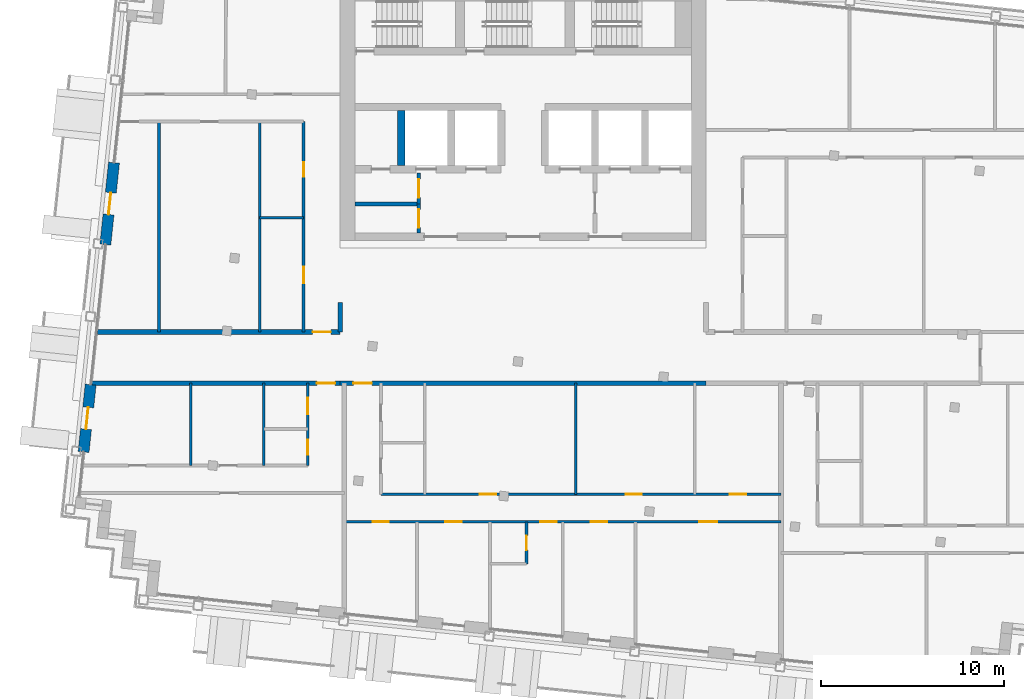
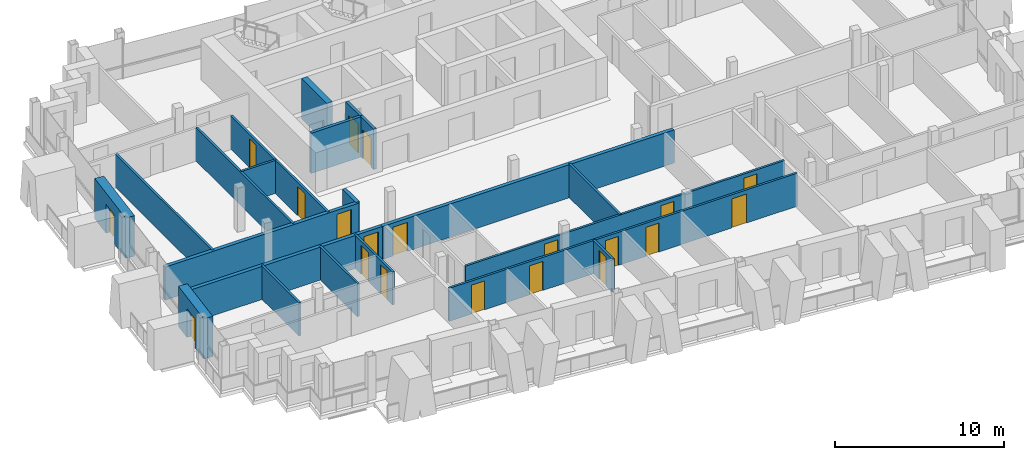
# One storey, part 9 of 16: 21 walls, 20 doors, 20 openings.
"""IFC4 building model written with IfcOpenShell, lengths in metres."""

from ifc_helpers import new_model, si_unit, direction, frame, frame_2d, origin, place, context, subcontext, project, spatial, rectangle, extrude, material, layer, layer_set, type_object, element, fill, save


model = new_model("IFC4")

# Units and contexts
model_context = context("Model", 3, precision=1e-05, world=origin(), true_north=direction((0.0, 1.0)))
body_context = subcontext(model_context, "Body", "Model", "MODEL_VIEW")
ifc_project = project(units=[si_unit("LENGTHUNIT", "METRE"), si_unit("AREAUNIT", "SQUARE_METRE"), si_unit("VOLUMEUNIT", "CUBIC_METRE"), si_unit("PLANEANGLEUNIT", "RADIAN"), si_unit("MASSUNIT", "GRAM", prefix="KILO")], contexts=[model_context])

# Site, building, storey
site_placement = place(None, origin())
site = spatial("IfcSite", under=ifc_project, at=site_placement, CompositionType="ELEMENT")
building_placement = place(site_placement, origin())
building = spatial("IfcBuilding", under=site, at=building_placement, Name="Vidyagriha Tower", CompositionType="ELEMENT")
storey_placement = place(building_placement, frame((0.0, 0.0, 259.5)))
storey = spatial("IfcBuildingStorey", under=building, at=storey_placement, Name="L67", CompositionType="ELEMENT", Elevation=259.5)

# Wall, opening, door
ifc_material_1 = material(Name="Precast concrete C40/50 with brick facing", Category="concrete")
ifc_layer_1 = layer(ifc_material_1, 0.60009765625)
ifc_layer_set_1 = layer_set([ifc_layer_1], Name="Precast concrete C40/50 with brick facing")
wall_type_1 = type_object("IfcWallType", Name="Brick-faced precast wall 600", PredefinedType="STANDARD", material=ifc_layer_set_1)
wall_1_placement = place(storey_placement, frame((-22.36279296875, 10.65673828125, 0.0), z_axis=(0.0, 0.0, 1.0), x_axis=(-0.104492739125, -0.994525649478, 0.0)))
wall_1 = element("IfcWall", 1, at=wall_1_placement, inside=storey, type_object=wall_type_1, Name="Brick door bay wall L67 R14.3", PredefinedType="STANDARD", context=body_context, shape_type="SweptSolid", body=[
    extrude(rectangle(XDim=4.5, YDim=0.60009765625, at=frame_2d((2.25, 0.0))), origin(), (0.0, 0.0, 1.0), 2.919921875),
])
opening_1_placement = place(wall_1_placement, frame((1.64990234375, 0.0, 0.0)))
opening_1 = element("IfcOpeningElement", 2, at=opening_1_placement, cuts=wall_1, Name="Opening D67-54", PredefinedType="OPENING", context=body_context, shape_type="SweptSolid", body=[
    extrude(rectangle(XDim=1.199951171875, YDim=2.10009765625, at=frame_2d((0.60009765625, 1.050048828125))), frame((0.0, 0.31005859375, 0.0), z_axis=(0.0, -1.0, 0.0), x_axis=(1.0, 0.0, 0.0)), (0.0, 0.0, 1.0), 0.6201171875),
])
ifc_material_2 = material(Name="Aluminium framed glazed sliding door", Category="aluminium")
door_type_1 = type_object("IfcDoorType", Name="Balcony sliding door 1200x2100", OperationType="NOTDEFINED", PredefinedType="DOOR", material=ifc_material_2)
door_1_placement = place(opening_1_placement, origin())
door_1 = element("IfcDoor", 3, at=door_1_placement, inside=storey, type_object=door_type_1, Name="Door D67-54", OperationType="SLIDING_TO_LEFT", OverallHeight=2.10009765625, OverallWidth=1.199951171875, PredefinedType="DOOR", context=body_context, shape_type="SweptSolid", body=[
    extrude(rectangle(XDim=1.199951171875, YDim=2.10009765625, at=frame_2d((0.60009765625, 1.050048828125))), frame((0.0, 0.02490234375, 0.0), z_axis=(0.0, -1.0, 0.0), x_axis=(1.0, 0.0, 0.0)), (0.0, 0.0, 1.0), 0.050048828125),
])
fill(opening_1, door_1)

wall_2_placement = place(storey_placement, frame((-23.637939453125, -1.476318359375, 0.0), z_axis=(0.0, 0.0, 1.0), x_axis=(-0.104513052986, -0.994523514933, 0.0)))
wall_2 = element("IfcWall", 4, at=wall_2_placement, inside=storey, type_object=wall_type_1, Name="Brick door bay wall L67 R14.6", PredefinedType="STANDARD", context=body_context, shape_type="SweptSolid", body=[
    extrude(rectangle(XDim=3.7001953125, YDim=0.60009765625, at=frame_2d((1.85009765625, 0.0))), origin(), (0.0, 0.0, 1.0), 2.919921875),
])
opening_2_placement = place(wall_2_placement, frame((1.25, 0.0, 0.0)))
opening_2 = element("IfcOpeningElement", 5, at=opening_2_placement, cuts=wall_2, Name="Opening D67-55", PredefinedType="OPENING", context=body_context, shape_type="SweptSolid", body=[
    extrude(rectangle(XDim=1.199951171875, YDim=2.10009765625, at=frame_2d((0.60009765625, 1.050048828125))), frame((0.0, 0.31005859375, 0.0), z_axis=(0.0, -1.0, 0.0), x_axis=(1.0, 0.0, 0.0)), (0.0, 0.0, 1.0), 0.6201171875),
])
door_2_placement = place(opening_2_placement, origin())
door_2 = element("IfcDoor", 6, at=door_2_placement, inside=storey, type_object=door_type_1, Name="Door D67-55", OperationType="SLIDING_TO_LEFT", OverallHeight=2.10009765625, OverallWidth=1.199951171875, PredefinedType="DOOR", context=body_context, shape_type="SweptSolid", body=[
    extrude(rectangle(XDim=1.199951171875, YDim=2.10009765625, at=frame_2d((0.60009765625, 1.050048828125))), frame((0.0, 0.02490234375, 0.0), z_axis=(0.0, -1.0, 0.0), x_axis=(1.0, 0.0, 0.0)), (0.0, 0.0, 1.0), 0.050048828125),
])
fill(opening_2, door_2)

# Wall
ifc_material_3 = material(Name="Concrete C60/75", Category="concrete")
ifc_layer_2 = layer(ifc_material_3, 0.39990234375)
ifc_layer_set_2 = layer_set([ifc_layer_2], Name="Concrete C60/75")
wall_type_2 = type_object("IfcWallType", Name="Core shear wall 400 mm", PredefinedType="SHEAR", material=ifc_layer_set_2)
wall_3_placement = place(storey_placement, frame((-6.666748046875, 10.5, 0.0), z_axis=(0.0, 0.0, 1.0), x_axis=(0.0, 1.0, 0.0)))
element("IfcWall", 7, at=wall_3_placement, inside=storey, type_object=wall_type_2, Name="Core bay wall N1", PredefinedType="SHEAR", context=body_context, shape_type="SweptSolid", body=[
    extrude(rectangle(XDim=3.0, YDim=0.39990234375, at=frame_2d((1.5, 0.0))), origin(), (0.0, 0.0, 1.0), 2.919921875),
])

# Wall, opening, door
ifc_material_4 = material(Name="Fired clay brick masonry", Category="masonry")
ifc_layer_3 = layer(ifc_material_4, 0.25)
ifc_layer_set_3 = layer_set([ifc_layer_3], Name="Fired clay brick masonry")
wall_type_3 = type_object("IfcWallType", Name="Fired clay brick corridor wall 250", PredefinedType="PARTITIONING", material=ifc_layer_set_3)
wall_4_placement = place(storey_placement, frame((-10.0, -1.39990234375, 0.0), z_axis=(0.0, 0.0, 1.0), x_axis=(-1.0, 0.0, 0.0)))
wall_4 = element("IfcWall", 8, at=wall_4_placement, inside=storey, type_object=wall_type_3, Name="Wall all-L67-w056", PredefinedType="PARTITIONING", context=body_context, shape_type="SweptSolid", body=[
    extrude(rectangle(XDim=13.5595703125, YDim=0.25, at=frame_2d((6.77978515625, 0.0))), origin(), (0.0, 0.0, 1.0), 2.39990234375),
])
opening_3_placement = place(wall_4_placement, frame((0.27001953125, 0.0, 0.0)))
opening_3 = element("IfcOpeningElement", 9, at=opening_3_placement, cuts=wall_4, Name="Opening D67-16", PredefinedType="OPENING", context=body_context, shape_type="SweptSolid", body=[
    extrude(rectangle(XDim=1.0, YDim=2.10009765625, at=frame_2d((0.5, 1.050048828125))), frame((0.0, 0.135009765625, 0.0), z_axis=(0.0, -1.0, 0.0), x_axis=(1.0, 0.0, 0.0)), (0.0, 0.0, 1.0), 0.27001953125),
])
ifc_material_5 = material(Name="Fire-rated timber door leaf EI 60", Category="wood")
door_type_2 = type_object("IfcDoorType", Name="Flat entrance fire door 1000x2100", OperationType="NOTDEFINED", PredefinedType="DOOR", material=ifc_material_5)
door_3_placement = place(opening_3_placement, origin())
door_3 = element("IfcDoor", 10, at=door_3_placement, inside=storey, type_object=door_type_2, Name="Door D67-16", OperationType="SINGLE_SWING_LEFT", OverallHeight=2.10009765625, OverallWidth=1.0, PredefinedType="DOOR", context=body_context, shape_type="SweptSolid", body=[
    extrude(rectangle(XDim=1.0, YDim=2.10009765625, at=frame_2d((0.5, 1.050048828125))), frame((0.0, 0.02490234375, 0.0), z_axis=(0.0, -1.0, 0.0), x_axis=(1.0, 0.0, 0.0)), (0.0, 0.0, 1.0), 0.050048828125),
])
fill(opening_3, door_3)

wall_5_placement = place(storey_placement, frame((-23.26513671875, 1.39990234375, 0.0)))
wall_5 = element("IfcWall", 11, at=wall_5_placement, inside=storey, type_object=wall_type_3, Name="Wall all-L67-w073", PredefinedType="PARTITIONING", context=body_context, shape_type="SweptSolid", body=[
    extrude(rectangle(XDim=13.26513671875, YDim=0.25, at=frame_2d((6.632568359375, 0.0))), origin(), (0.0, 0.0, 1.0), 2.39990234375),
])
opening_4_placement = place(wall_5_placement, frame((11.76513671875, 0.0, 0.0)))
opening_4 = element("IfcOpeningElement", 12, at=opening_4_placement, cuts=wall_5, Name="Opening D67-43", PredefinedType="OPENING", context=body_context, shape_type="SweptSolid", body=[
    extrude(rectangle(XDim=1.0, YDim=2.10009765625, at=frame_2d((0.5, 1.050048828125))), frame((0.0, 0.135009765625, 0.0), z_axis=(0.0, -1.0, 0.0), x_axis=(1.0, 0.0, 0.0)), (0.0, 0.0, 1.0), 0.27001953125),
])
door_4_placement = place(opening_4_placement, origin())
door_4 = element("IfcDoor", 13, at=door_4_placement, inside=storey, type_object=door_type_2, Name="Door D67-43", OperationType="SINGLE_SWING_RIGHT", OverallHeight=2.10009765625, OverallWidth=1.0, PredefinedType="DOOR", context=body_context, shape_type="SweptSolid", body=[
    extrude(rectangle(XDim=1.0, YDim=2.10009765625, at=frame_2d((0.5, 1.050048828125))), frame((0.0, 0.02490234375, 0.0), z_axis=(0.0, -1.0, 0.0), x_axis=(1.0, 0.0, 0.0)), (0.0, 0.0, 1.0), 0.050048828125),
])
fill(opening_4, door_4)

wall_6_placement = place(storey_placement, frame((10.0, -1.39990234375, 0.0), z_axis=(0.0, 0.0, 1.0), x_axis=(-1.0, 0.0, 0.0)))
wall_6 = element("IfcWall", 14, at=wall_6_placement, inside=storey, type_object=wall_type_3, Name="Wall all-L67-w096", PredefinedType="PARTITIONING", context=body_context, shape_type="SweptSolid", body=[
    extrude(rectangle(XDim=20.0, YDim=0.25, at=frame_2d((10.0, 0.0))), origin(), (0.0, 0.0, 1.0), 2.39990234375),
])
opening_5_placement = place(wall_6_placement, frame((18.27001953125, 0.0, 0.0)))
opening_5 = element("IfcOpeningElement", 15, at=opening_5_placement, cuts=wall_6, Name="Opening D67-28", PredefinedType="OPENING", context=body_context, shape_type="SweptSolid", body=[
    extrude(rectangle(XDim=1.0, YDim=2.10009765625, at=frame_2d((0.5, 1.050048828125))), frame((0.0, 0.135009765625, 0.0), z_axis=(0.0, -1.0, 0.0), x_axis=(1.0, 0.0, 0.0)), (0.0, 0.0, 1.0), 0.27001953125),
])
door_5_placement = place(opening_5_placement, origin())
door_5 = element("IfcDoor", 16, at=door_5_placement, inside=storey, type_object=door_type_2, Name="Door D67-28", OperationType="SINGLE_SWING_RIGHT", OverallHeight=2.10009765625, OverallWidth=1.0, PredefinedType="DOOR", context=body_context, shape_type="SweptSolid", body=[
    extrude(rectangle(XDim=1.0, YDim=2.10009765625, at=frame_2d((0.5, 1.050048828125))), frame((0.0, 0.02490234375, 0.0), z_axis=(0.0, -1.0, 0.0), x_axis=(1.0, 0.0, 0.0)), (0.0, 0.0, 1.0), 0.050048828125),
])
fill(opening_5, door_5)

# Walls
wall_7_placement = place(storey_placement, frame((-10.0, 3.0, 0.0), z_axis=(0.0, 0.0, 1.0), x_axis=(0.0, -1.0, 0.0)))
element("IfcWall", 17, at=wall_7_placement, inside=storey, type_object=wall_type_3, Name="Wall all-L67-w097", PredefinedType="PARTITIONING", context=body_context, shape_type="SweptSolid", body=[
    extrude(rectangle(XDim=1.60009765625, YDim=0.25, at=frame_2d((0.800048828125, 0.0))), origin(), (0.0, 0.0, 1.0), 2.39990234375),
])
ifc_material_6 = material(Name="Gypsum board partition")
ifc_layer_4 = layer(ifc_material_6, 0.14990234375)
ifc_layer_set_4 = layer_set([ifc_layer_4], Name="Gypsum board partition")
wall_type_4 = type_object("IfcWallType", Name="Gypsum board partition 150", PredefinedType="PARTITIONING", material=ifc_layer_set_4)
for number, where, z_axis, x_axis, name in (
    (18, (-14.169921875, -5.89990234375, 0.0), (0.0, 0.0, 1.0), (0.0, 1.0, 0.0), "Wall all-L67-w005"),
    (19, (-18.169921875, -5.89990234375, 0.0), (0.0, 0.0, 1.0), (0.0, 1.0, 0.0), "Wall all-L67-w006"),
):
    element("IfcWall", number, at=place(storey_placement, frame(where, z_axis=z_axis, x_axis=x_axis)), inside=storey, type_object=wall_type_4, Name=name, PredefinedType="PARTITIONING", context=body_context, shape_type="SweptSolid", body=[
        extrude(rectangle(XDim=4.5, YDim=0.14990234375, at=frame_2d((2.25, 0.0))), origin(), (0.0, 0.0, 1.0), 2.39990234375),
    ])
wall_8_placement = place(storey_placement, frame((2.8798828125, -1.39990234375, 0.0), z_axis=(0.0, 0.0, 1.0), x_axis=(0.0, -1.0, 0.0)))
element("IfcWall", 20, at=wall_8_placement, inside=storey, type_object=wall_type_4, Name="Wall all-L67-w018", PredefinedType="PARTITIONING", context=body_context, shape_type="SweptSolid", body=[
    extrude(rectangle(XDim=6.07470703125, YDim=0.14990234375, at=frame_2d((3.037353515625, 0.0))), origin(), (0.0, 0.0, 1.0), 2.39990234375),
])

# Wall, openings, doors
wall_9_placement = place(storey_placement, frame((-7.77001953125, -7.474609375, 0.0)))
wall_9 = element("IfcWall", 21, at=wall_9_placement, inside=storey, type_object=wall_type_4, Name="Wall all-L67-w020", PredefinedType="PARTITIONING", context=body_context, shape_type="SweptSolid", body=[
    extrude(rectangle(XDim=21.867919921875, YDim=0.14990234375, at=frame_2d((10.93408203125, 0.0))), origin(), (0.0, 0.0, 1.0), 2.39990234375),
])
opening_6_placement = place(wall_9_placement, frame((5.413818359375, 0.0, 0.0)))
opening_6 = element("IfcOpeningElement", 22, at=opening_6_placement, cuts=wall_9, Name="Opening D67-19", PredefinedType="OPENING", context=body_context, shape_type="SweptSolid", body=[
    extrude(rectangle(XDim=0.89990234375, YDim=2.10009765625, at=frame_2d((0.449951171875, 1.050048828125))), frame((0.0, 0.0849609375, 0.0), z_axis=(0.0, -1.0, 0.0), x_axis=(1.0, 0.0, 0.0)), (0.0, 0.0, 1.0), 0.169921875),
])
opening_7_placement = place(wall_9_placement, frame((13.3701171875, 0.0, 0.0)))
opening_7 = element("IfcOpeningElement", 23, at=opening_7_placement, cuts=wall_9, Name="Opening D67-20", PredefinedType="OPENING", context=body_context, shape_type="SweptSolid", body=[
    extrude(rectangle(XDim=0.89990234375, YDim=2.10009765625, at=frame_2d((0.449951171875, 1.050048828125))), frame((0.0, 0.0849609375, 0.0), z_axis=(0.0, -1.0, 0.0), x_axis=(1.0, 0.0, 0.0)), (0.0, 0.0, 1.0), 0.169921875),
])
opening_8_placement = place(wall_9_placement, frame((19.05908203125, 0.0, 0.0)))
opening_8 = element("IfcOpeningElement", 24, at=opening_8_placement, cuts=wall_9, Name="Opening D67-21", PredefinedType="OPENING", context=body_context, shape_type="SweptSolid", body=[
    extrude(rectangle(XDim=0.89990234375, YDim=2.10009765625, at=frame_2d((0.449951171875, 1.050048828125))), frame((0.0, 0.0849609375, 0.0), z_axis=(0.0, -1.0, 0.0), x_axis=(1.0, 0.0, 0.0)), (0.0, 0.0, 1.0), 0.169921875),
])
ifc_material_7 = material(Name="Timber door leaf", Category="wood")
door_type_3 = type_object("IfcDoorType", Name="Room door 900x2100", OperationType="NOTDEFINED", PredefinedType="DOOR", material=ifc_material_7)
door_6_placement = place(opening_6_placement, origin())
door_6 = element("IfcDoor", 25, at=door_6_placement, inside=storey, type_object=door_type_3, Name="Door D67-19", OperationType="SINGLE_SWING_LEFT", OverallHeight=2.10009765625, OverallWidth=0.89990234375, PredefinedType="DOOR", context=body_context, shape_type="SweptSolid", body=[
    extrude(rectangle(XDim=0.89990234375, YDim=2.10009765625, at=frame_2d((0.449951171875, 1.050048828125))), frame((0.0, 0.02490234375, 0.0), z_axis=(0.0, -1.0, 0.0), x_axis=(1.0, 0.0, 0.0)), (0.0, 0.0, 1.0), 0.050048828125),
])
fill(opening_6, door_6)
door_7_placement = place(opening_7_placement, origin())
door_7 = element("IfcDoor", 26, at=door_7_placement, inside=storey, type_object=door_type_3, Name="Door D67-20", OperationType="SINGLE_SWING_LEFT", OverallHeight=2.10009765625, OverallWidth=0.89990234375, PredefinedType="DOOR", context=body_context, shape_type="SweptSolid", body=[
    extrude(rectangle(XDim=0.89990234375, YDim=2.10009765625, at=frame_2d((0.449951171875, 1.050048828125))), frame((0.0, 0.02490234375, 0.0), z_axis=(0.0, -1.0, 0.0), x_axis=(1.0, 0.0, 0.0)), (0.0, 0.0, 1.0), 0.050048828125),
])
fill(opening_7, door_7)
door_8_placement = place(opening_8_placement, origin())
door_8 = element("IfcDoor", 27, at=door_8_placement, inside=storey, type_object=door_type_3, Name="Door D67-21", OperationType="SINGLE_SWING_RIGHT", OverallHeight=2.10009765625, OverallWidth=0.89990234375, PredefinedType="DOOR", context=body_context, shape_type="SweptSolid", body=[
    extrude(rectangle(XDim=0.89990234375, YDim=2.10009765625, at=frame_2d((0.449951171875, 1.050048828125))), frame((0.0, 0.02490234375, 0.0), z_axis=(0.0, -1.0, 0.0), x_axis=(1.0, 0.0, 0.0)), (0.0, 0.0, 1.0), 0.050048828125),
])
fill(opening_8, door_8)

wall_10_placement = place(storey_placement, frame((14.097900390625, -8.974609375, 0.0), z_axis=(0.0, 0.0, 1.0), x_axis=(-1.0, 0.0, 0.0)))
wall_10 = element("IfcWall", 28, at=wall_10_placement, inside=storey, type_object=wall_type_4, Name="Wall all-L67-w024", PredefinedType="PARTITIONING", context=body_context, shape_type="SweptSolid", body=[
    extrude(rectangle(XDim=23.867919921875, YDim=0.14990234375, at=frame_2d((11.93408203125, 0.0))), origin(), (0.0, 0.0, 1.0), 2.39990234375),
])
opening_9_placement = place(wall_10_placement, frame((21.42919921875, 0.0, 0.0)))
opening_9 = element("IfcOpeningElement", 29, at=opening_9_placement, cuts=wall_10, Name="Opening D67-22", PredefinedType="OPENING", context=body_context, shape_type="SweptSolid", body=[
    extrude(rectangle(XDim=0.89990234375, YDim=2.10009765625, at=frame_2d((0.449951171875, 1.050048828125))), frame((0.0, 0.0849609375, 0.0), z_axis=(0.0, -1.0, 0.0), x_axis=(1.0, 0.0, 0.0)), (0.0, 0.0, 1.0), 0.169921875),
])
opening_10_placement = place(wall_10_placement, frame((17.451416015625, 0.0, 0.0)))
opening_10 = element("IfcOpeningElement", 30, at=opening_10_placement, cuts=wall_10, Name="Opening D67-23", PredefinedType="OPENING", context=body_context, shape_type="SweptSolid", body=[
    extrude(rectangle(XDim=0.89990234375, YDim=2.10009765625, at=frame_2d((0.449951171875, 1.050048828125))), frame((0.0, 0.0849609375, 0.0), z_axis=(0.0, -1.0, 0.0), x_axis=(1.0, 0.0, 0.0)), (0.0, 0.0, 1.0), 0.169921875),
])
opening_11_placement = place(wall_10_placement, frame((12.252197265625, 0.0, 0.0)))
opening_11 = element("IfcOpeningElement", 31, at=opening_11_placement, cuts=wall_10, Name="Opening D67-24", PredefinedType="OPENING", context=body_context, shape_type="SweptSolid", body=[
    extrude(rectangle(XDim=0.89990234375, YDim=2.10009765625, at=frame_2d((0.449951171875, 1.050048828125))), frame((0.0, 0.0849609375, 0.0), z_axis=(0.0, -1.0, 0.0), x_axis=(1.0, 0.0, 0.0)), (0.0, 0.0, 1.0), 0.169921875),
])
opening_12_placement = place(wall_10_placement, frame((9.4951171875, 0.0, 0.0)))
opening_12 = element("IfcOpeningElement", 32, at=opening_12_placement, cuts=wall_10, Name="Opening D67-25", PredefinedType="OPENING", context=body_context, shape_type="SweptSolid", body=[
    extrude(rectangle(XDim=0.89990234375, YDim=2.10009765625, at=frame_2d((0.449951171875, 1.050048828125))), frame((0.0, 0.0849609375, 0.0), z_axis=(0.0, -1.0, 0.0), x_axis=(1.0, 0.0, 0.0)), (0.0, 0.0, 1.0), 0.169921875),
])
opening_13_placement = place(wall_10_placement, frame((3.47802734375, 0.0, 0.0)))
opening_13 = element("IfcOpeningElement", 33, at=opening_13_placement, cuts=wall_10, Name="Opening D67-26", PredefinedType="OPENING", context=body_context, shape_type="SweptSolid", body=[
    extrude(rectangle(XDim=1.0, YDim=2.10009765625, at=frame_2d((0.5, 1.050048828125))), frame((0.0, 0.0849609375, 0.0), z_axis=(0.0, -1.0, 0.0), x_axis=(1.0, 0.0, 0.0)), (0.0, 0.0, 1.0), 0.169921875),
])
ifc_material_8 = material(Name="Timber door leaf", Category="wood")
door_type_4 = type_object("IfcDoorType", Name="Room door 1000x2100", OperationType="NOTDEFINED", PredefinedType="DOOR", material=ifc_material_8)
door_9_placement = place(opening_13_placement, origin())
door_9 = element("IfcDoor", 34, at=door_9_placement, inside=storey, type_object=door_type_4, Name="Door D67-26", OperationType="SINGLE_SWING_LEFT", OverallHeight=2.10009765625, OverallWidth=1.0, PredefinedType="DOOR", context=body_context, shape_type="SweptSolid", body=[
    extrude(rectangle(XDim=1.0, YDim=2.10009765625, at=frame_2d((0.5, 1.050048828125))), frame((0.0, 0.02490234375, 0.0), z_axis=(0.0, -1.0, 0.0), x_axis=(1.0, 0.0, 0.0)), (0.0, 0.0, 1.0), 0.050048828125),
])
fill(opening_13, door_9)
door_10_placement = place(opening_9_placement, origin())
door_10 = element("IfcDoor", 35, at=door_10_placement, inside=storey, type_object=door_type_3, Name="Door D67-22", OperationType="SINGLE_SWING_RIGHT", OverallHeight=2.10009765625, OverallWidth=0.89990234375, PredefinedType="DOOR", context=body_context, shape_type="SweptSolid", body=[
    extrude(rectangle(XDim=0.89990234375, YDim=2.10009765625, at=frame_2d((0.449951171875, 1.050048828125))), frame((0.0, 0.02490234375, 0.0), z_axis=(0.0, -1.0, 0.0), x_axis=(1.0, 0.0, 0.0)), (0.0, 0.0, 1.0), 0.050048828125),
])
fill(opening_9, door_10)
door_11_placement = place(opening_10_placement, origin())
door_11 = element("IfcDoor", 36, at=door_11_placement, inside=storey, type_object=door_type_3, Name="Door D67-23", OperationType="SINGLE_SWING_RIGHT", OverallHeight=2.10009765625, OverallWidth=0.89990234375, PredefinedType="DOOR", context=body_context, shape_type="SweptSolid", body=[
    extrude(rectangle(XDim=0.89990234375, YDim=2.10009765625, at=frame_2d((0.449951171875, 1.050048828125))), frame((0.0, 0.02490234375, 0.0), z_axis=(0.0, -1.0, 0.0), x_axis=(1.0, 0.0, 0.0)), (0.0, 0.0, 1.0), 0.050048828125),
])
fill(opening_10, door_11)
door_12_placement = place(opening_11_placement, origin())
door_12 = element("IfcDoor", 37, at=door_12_placement, inside=storey, type_object=door_type_3, Name="Door D67-24", OperationType="SINGLE_SWING_LEFT", OverallHeight=2.10009765625, OverallWidth=0.89990234375, PredefinedType="DOOR", context=body_context, shape_type="SweptSolid", body=[
    extrude(rectangle(XDim=0.89990234375, YDim=2.10009765625, at=frame_2d((0.449951171875, 1.050048828125))), frame((0.0, 0.02490234375, 0.0), z_axis=(0.0, -1.0, 0.0), x_axis=(1.0, 0.0, 0.0)), (0.0, 0.0, 1.0), 0.050048828125),
])
fill(opening_11, door_12)
door_13_placement = place(opening_12_placement, origin())
door_13 = element("IfcDoor", 38, at=door_13_placement, inside=storey, type_object=door_type_3, Name="Door D67-25", OperationType="SINGLE_SWING_LEFT", OverallHeight=2.10009765625, OverallWidth=0.89990234375, PredefinedType="DOOR", context=body_context, shape_type="SweptSolid", body=[
    extrude(rectangle(XDim=0.89990234375, YDim=2.10009765625, at=frame_2d((0.449951171875, 1.050048828125))), frame((0.0, 0.02490234375, 0.0), z_axis=(0.0, -1.0, 0.0), x_axis=(1.0, 0.0, 0.0)), (0.0, 0.0, 1.0), 0.050048828125),
])
fill(opening_12, door_13)

# Wall, opening, door
wall_11_placement = place(storey_placement, frame((0.185791015625, -8.974609375, 0.0), z_axis=(0.0, 0.0, 1.0), x_axis=(0.0, -1.0, 0.0)))
wall_11 = element("IfcWall", 39, at=wall_11_placement, inside=storey, type_object=wall_type_4, Name="Wall all-L67-w034", PredefinedType="PARTITIONING", context=body_context, shape_type="SweptSolid", body=[
    extrude(rectangle(XDim=2.2998046875, YDim=0.14990234375, at=frame_2d((1.14990234375, 0.0))), origin(), (0.0, 0.0, 1.0), 2.39990234375),
])
opening_14_placement = place(wall_11_placement, frame((0.75, 0.0, 0.0)))
opening_14 = element("IfcOpeningElement", 40, at=opening_14_placement, cuts=wall_11, Name="Opening D67-27", PredefinedType="OPENING", context=body_context, shape_type="SweptSolid", body=[
    extrude(rectangle(XDim=0.800048828125, YDim=2.10009765625, at=frame_2d((0.39990234375, 1.050048828125))), frame((0.0, 0.0849609375, 0.0), z_axis=(0.0, -1.0, 0.0), x_axis=(1.0, 0.0, 0.0)), (0.0, 0.0, 1.0), 0.169921875),
])
ifc_material_9 = material(Name="Timber door leaf", Category="wood")
door_type_5 = type_object("IfcDoorType", Name="Bathroom door 800x2100", OperationType="NOTDEFINED", PredefinedType="DOOR", material=ifc_material_9)
door_14_placement = place(opening_14_placement, origin())
door_14 = element("IfcDoor", 41, at=door_14_placement, inside=storey, type_object=door_type_5, Name="Door D67-27", OperationType="SINGLE_SWING_LEFT", OverallHeight=2.10009765625, OverallWidth=0.800048828125, PredefinedType="DOOR", context=body_context, shape_type="SweptSolid", body=[
    extrude(rectangle(XDim=0.800048828125, YDim=2.10009765625, at=frame_2d((0.39990234375, 1.050048828125))), frame((0.0, 0.02490234375, 0.0), z_axis=(0.0, -1.0, 0.0), x_axis=(1.0, 0.0, 0.0)), (0.0, 0.0, 1.0), 0.050048828125),
])
fill(opening_14, door_14)

# Walls
wall_12_placement = place(storey_placement, frame((-14.39990234375, 7.64990234375, 0.0)))
element("IfcWall", 42, at=wall_12_placement, inside=storey, type_object=wall_type_4, Name="Wall all-L67-w062", PredefinedType="PARTITIONING", context=body_context, shape_type="SweptSolid", body=[
    extrude(rectangle(XDim=2.39990234375, YDim=0.14990234375, at=frame_2d((1.199951171875, 0.0))), origin(), (0.0, 0.0, 1.0), 2.39990234375),
])
for number, where, z_axis, x_axis, name in (
    (43, (-14.39990234375, 1.39990234375, 0.0), (0.0, 0.0, 1.0), (0.0, 1.0, 0.0), "Wall all-L67-w063"),
    (44, (-19.89990234375, 1.39990234375, 0.0), (0.0, 0.0, 1.0), (0.0, 1.0, 0.0), "Wall all-L67-w064"),
):
    element("IfcWall", number, at=place(storey_placement, frame(where, z_axis=z_axis, x_axis=x_axis)), inside=storey, type_object=wall_type_4, Name=name, PredefinedType="PARTITIONING", context=body_context, shape_type="SweptSolid", body=[
        extrude(rectangle(XDim=11.5, YDim=0.14990234375, at=frame_2d((5.75, 0.0))), origin(), (0.0, 0.0, 1.0), 2.39990234375),
    ])

# Wall, openings, doors
ifc_material_10 = material(Name="Moisture resistant gypsum board partition")
ifc_layer_5 = layer(ifc_material_10, 0.14990234375)
ifc_layer_set_5 = layer_set([ifc_layer_5], Name="Moisture resistant gypsum board partition")
wall_type_5 = type_object("IfcWallType", Name="Gypsum board wet-area partition 150", PredefinedType="PARTITIONING", material=ifc_layer_set_5)
wall_13_placement = place(storey_placement, frame((-11.77001953125, -5.89990234375, 0.0), z_axis=(0.0, 0.0, 1.0), x_axis=(0.0, 1.0, 0.0)))
wall_13 = element("IfcWall", 45, at=wall_13_placement, inside=storey, type_object=wall_type_5, Name="Wall all-L67-w001", PredefinedType="PARTITIONING", context=body_context, shape_type="SweptSolid", body=[
    extrude(rectangle(XDim=4.5, YDim=0.14990234375, at=frame_2d((2.25, 0.0))), origin(), (0.0, 0.0, 1.0), 2.39990234375),
])
opening_15_placement = place(wall_13_placement, frame((2.800048828125, 0.0, 0.0)))
opening_15 = element("IfcOpeningElement", 46, at=opening_15_placement, cuts=wall_13, Name="Opening D67-11", PredefinedType="OPENING", context=body_context, shape_type="SweptSolid", body=[
    extrude(rectangle(XDim=0.89990234375, YDim=2.10009765625, at=frame_2d((0.449951171875, 1.050048828125))), frame((0.0, 0.0849609375, 0.0), z_axis=(0.0, -1.0, 0.0), x_axis=(1.0, 0.0, 0.0)), (0.0, 0.0, 1.0), 0.169921875),
])
opening_16_placement = place(wall_13_placement, frame((0.60009765625, 0.0, 0.0)))
opening_16 = element("IfcOpeningElement", 47, at=opening_16_placement, cuts=wall_13, Name="Opening D67-12", PredefinedType="OPENING", context=body_context, shape_type="SweptSolid", body=[
    extrude(rectangle(XDim=0.800048828125, YDim=2.10009765625, at=frame_2d((0.39990234375, 1.050048828125))), frame((0.0, 0.0849609375, 0.0), z_axis=(0.0, -1.0, 0.0), x_axis=(1.0, 0.0, 0.0)), (0.0, 0.0, 1.0), 0.169921875),
])
door_15_placement = place(opening_16_placement, origin())
door_15 = element("IfcDoor", 48, at=door_15_placement, inside=storey, type_object=door_type_5, Name="Door D67-12", OperationType="SINGLE_SWING_LEFT", OverallHeight=2.10009765625, OverallWidth=0.800048828125, PredefinedType="DOOR", context=body_context, shape_type="SweptSolid", body=[
    extrude(rectangle(XDim=0.800048828125, YDim=2.10009765625, at=frame_2d((0.39990234375, 1.050048828125))), frame((0.0, 0.02490234375, 0.0), z_axis=(0.0, -1.0, 0.0), x_axis=(1.0, 0.0, 0.0)), (0.0, 0.0, 1.0), 0.050048828125),
])
fill(opening_16, door_15)
ifc_material_11 = material(Name="Timber door leaf", Category="wood")
door_type_6 = type_object("IfcDoorType", Name="Kitchen door 900x2100", OperationType="NOTDEFINED", PredefinedType="DOOR", material=ifc_material_11)
door_16_placement = place(opening_15_placement, origin())
door_16 = element("IfcDoor", 49, at=door_16_placement, inside=storey, type_object=door_type_6, Name="Door D67-11", OperationType="SINGLE_SWING_RIGHT", OverallHeight=2.10009765625, OverallWidth=0.89990234375, PredefinedType="DOOR", context=body_context, shape_type="SweptSolid", body=[
    extrude(rectangle(XDim=0.89990234375, YDim=2.10009765625, at=frame_2d((0.449951171875, 1.050048828125))), frame((0.0, 0.02490234375, 0.0), z_axis=(0.0, -1.0, 0.0), x_axis=(1.0, 0.0, 0.0)), (0.0, 0.0, 1.0), 0.050048828125),
])
fill(opening_15, door_16)

wall_14_placement = place(storey_placement, frame((-12.0, 1.39990234375, 0.0), z_axis=(0.0, 0.0, 1.0), x_axis=(0.0, 1.0, 0.0)))
wall_14 = element("IfcWall", 50, at=wall_14_placement, inside=storey, type_object=wall_type_5, Name="Wall all-L67-w059", PredefinedType="PARTITIONING", context=body_context, shape_type="SweptSolid", body=[
    extrude(rectangle(XDim=11.5, YDim=0.14990234375, at=frame_2d((5.75, 0.0))), origin(), (0.0, 0.0, 1.0), 2.39990234375),
])
opening_17_placement = place(wall_14_placement, frame((2.675048828125, 0.0, 0.0)))
opening_17 = element("IfcOpeningElement", 51, at=opening_17_placement, cuts=wall_14, Name="Opening D67-37", PredefinedType="OPENING", context=body_context, shape_type="SweptSolid", body=[
    extrude(rectangle(XDim=0.89990234375, YDim=2.10009765625, at=frame_2d((0.449951171875, 1.050048828125))), frame((0.0, 0.0849609375, 0.0), z_axis=(0.0, -1.0, 0.0), x_axis=(1.0, 0.0, 0.0)), (0.0, 0.0, 1.0), 0.169921875),
])
opening_18_placement = place(wall_14_placement, frame((8.47509765625, 0.0, 0.0)))
opening_18 = element("IfcOpeningElement", 52, at=opening_18_placement, cuts=wall_14, Name="Opening D67-38", PredefinedType="OPENING", context=body_context, shape_type="SweptSolid", body=[
    extrude(rectangle(XDim=0.800048828125, YDim=2.10009765625, at=frame_2d((0.39990234375, 1.050048828125))), frame((0.0, 0.0849609375, 0.0), z_axis=(0.0, -1.0, 0.0), x_axis=(1.0, 0.0, 0.0)), (0.0, 0.0, 1.0), 0.169921875),
])
door_17_placement = place(opening_18_placement, origin())
door_17 = element("IfcDoor", 53, at=door_17_placement, inside=storey, type_object=door_type_5, Name="Door D67-38", OperationType="SINGLE_SWING_RIGHT", OverallHeight=2.10009765625, OverallWidth=0.800048828125, PredefinedType="DOOR", context=body_context, shape_type="SweptSolid", body=[
    extrude(rectangle(XDim=0.800048828125, YDim=2.10009765625, at=frame_2d((0.39990234375, 1.050048828125))), frame((0.0, 0.02490234375, 0.0), z_axis=(0.0, -1.0, 0.0), x_axis=(1.0, 0.0, 0.0)), (0.0, 0.0, 1.0), 0.050048828125),
])
fill(opening_18, door_17)
door_18_placement = place(opening_17_placement, origin())
door_18 = element("IfcDoor", 54, at=door_18_placement, inside=storey, type_object=door_type_6, Name="Door D67-37", OperationType="SINGLE_SWING_RIGHT", OverallHeight=2.10009765625, OverallWidth=0.89990234375, PredefinedType="DOOR", context=body_context, shape_type="SweptSolid", body=[
    extrude(rectangle(XDim=0.89990234375, YDim=2.10009765625, at=frame_2d((0.449951171875, 1.050048828125))), frame((0.0, 0.02490234375, 0.0), z_axis=(0.0, -1.0, 0.0), x_axis=(1.0, 0.0, 0.0)), (0.0, 0.0, 1.0), 0.050048828125),
])
fill(opening_17, door_18)

# Wall, opening, door
ifc_material_12 = material(Name="Blockwork 15 MPa", Category="masonry")
ifc_layer_6 = layer(ifc_material_12, 0.199951171875)
ifc_layer_set_6 = layer_set([ifc_layer_6], Name="Blockwork 15 MPa")
wall_type_6 = type_object("IfcWallType", Name="Service room partition 200 mm", PredefinedType="PARTITIONING", material=ifc_layer_set_6)
wall_15_placement = place(storey_placement, frame((-5.699951171875, 6.800048828125, 0.0), z_axis=(0.0, 0.0, 1.0), x_axis=(0.0, 1.0, 0.0)))
wall_15 = element("IfcWall", 55, at=wall_15_placement, inside=storey, type_object=wall_type_6, Name="Core room partition W", PredefinedType="PARTITIONING", context=body_context, shape_type="SweptSolid", body=[
    extrude(rectangle(XDim=1.599853515625, YDim=0.199951171875, at=frame_2d((0.7998046875, 0.0))), origin(), (0.0, 0.0, 1.0), 2.919921875),
])
opening_19_placement = place(wall_15_placement, frame((0.300048828125, 0.0, 0.0)))
opening_19 = element("IfcOpeningElement", 56, at=opening_19_placement, cuts=wall_15, Name="Opening D67-09", PredefinedType="OPENING", context=body_context, shape_type="SweptSolid", body=[
    extrude(rectangle(XDim=1.0, YDim=2.10009765625, at=frame_2d((0.5, 1.050048828125))), frame((0.0, 0.10986328125, 0.0), z_axis=(0.0, -1.0, 0.0), x_axis=(1.0, 0.0, 0.0)), (0.0, 0.0, 1.0), 0.219970703125),
])
ifc_material_13 = material(Name="Hollow metal door leaf")
door_type_7 = type_object("IfcDoorType", Name="Core room door 1000 x 2100 mm EI 60", OperationType="NOTDEFINED", PredefinedType="DOOR", material=ifc_material_13)
door_19_placement = place(opening_19_placement, origin())
door_19 = element("IfcDoor", 57, at=door_19_placement, inside=storey, type_object=door_type_7, Name="Door Communications Room 67.T1", OperationType="SINGLE_SWING_LEFT", OverallHeight=2.10009765625, OverallWidth=1.0, PredefinedType="DOOR", context=body_context, shape_type="SweptSolid", body=[
    extrude(rectangle(XDim=1.0, YDim=2.10009765625, at=frame_2d((0.5, 1.050048828125))), frame((0.0, 0.02490234375, 0.0), z_axis=(0.0, -1.0, 0.0), x_axis=(1.0, 0.0, 0.0)), (0.0, 0.0, 1.0), 0.050048828125),
])
fill(opening_19, door_19)

wall_16_placement = place(storey_placement, frame((-5.699951171875, 8.39990234375, 0.0), z_axis=(0.0, 0.0, 1.0), x_axis=(0.0, 1.0, 0.0)))
wall_16 = element("IfcWall", 58, at=wall_16_placement, inside=storey, type_object=wall_type_6, Name="Core room partition W2", PredefinedType="PARTITIONING", context=body_context, shape_type="SweptSolid", body=[
    extrude(rectangle(XDim=1.7001953125, YDim=0.199951171875, at=frame_2d((0.85009765625, 0.0))), origin(), (0.0, 0.0, 1.0), 2.919921875),
])
opening_20_placement = place(wall_16_placement, frame((0.35009765625, 0.0, 0.0)))
opening_20 = element("IfcOpeningElement", 59, at=opening_20_placement, cuts=wall_16, Name="Opening D67-10", PredefinedType="OPENING", context=body_context, shape_type="SweptSolid", body=[
    extrude(rectangle(XDim=1.0, YDim=2.10009765625, at=frame_2d((0.5, 1.050048828125))), frame((0.0, 0.10986328125, 0.0), z_axis=(0.0, -1.0, 0.0), x_axis=(1.0, 0.0, 0.0)), (0.0, 0.0, 1.0), 0.219970703125),
])
door_20_placement = place(opening_20_placement, origin())
door_20 = element("IfcDoor", 60, at=door_20_placement, inside=storey, type_object=door_type_7, Name="Door Cleaners Store 67.T2", OperationType="SINGLE_SWING_RIGHT", OverallHeight=2.10009765625, OverallWidth=1.0, PredefinedType="DOOR", context=body_context, shape_type="SweptSolid", body=[
    extrude(rectangle(XDim=1.0, YDim=2.10009765625, at=frame_2d((0.5, 1.050048828125))), frame((0.0, 0.02490234375, 0.0), z_axis=(0.0, -1.0, 0.0), x_axis=(1.0, 0.0, 0.0)), (0.0, 0.0, 1.0), 0.050048828125),
])
fill(opening_20, door_20)

# Wall
wall_17_placement = place(storey_placement, frame((-9.199951171875, 8.39990234375, 0.0)))
element("IfcWall", 61, at=wall_17_placement, inside=storey, type_object=wall_type_6, Name="Core room partition W", PredefinedType="PARTITIONING", context=body_context, shape_type="SweptSolid", body=[
    extrude(rectangle(XDim=3.39990234375, YDim=0.199951171875, at=frame_2d((1.699951171875, 0.0))), origin(), (0.0, 0.0, 1.0), 2.919921875),
])

save(model, "model.ifc")
